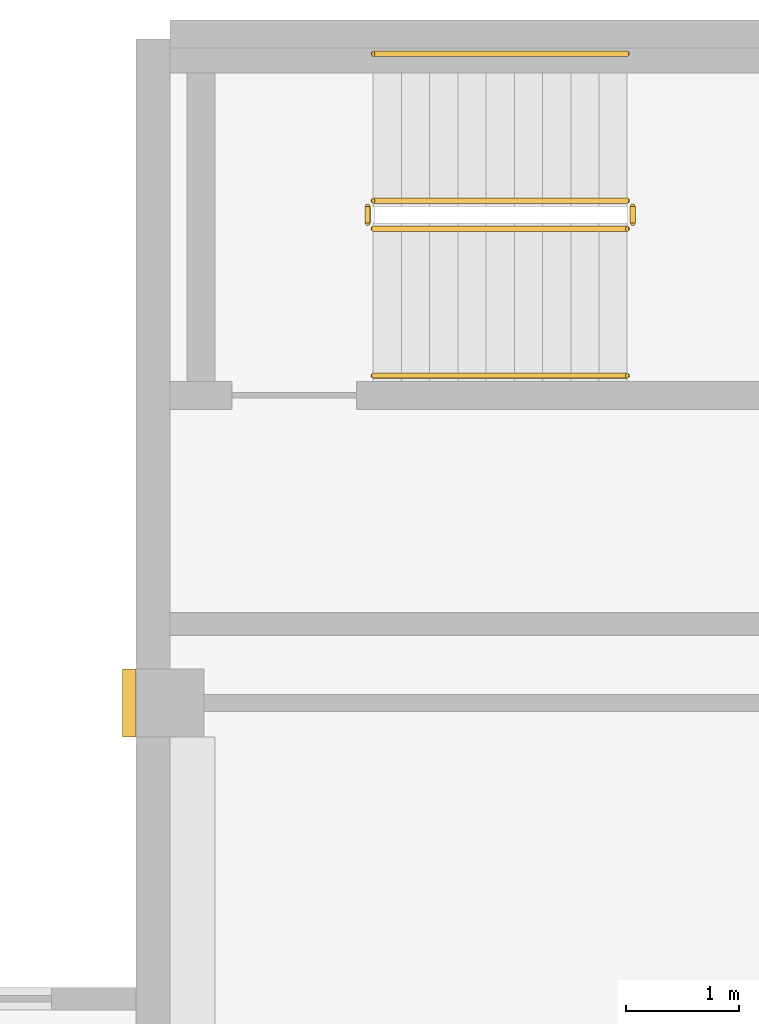
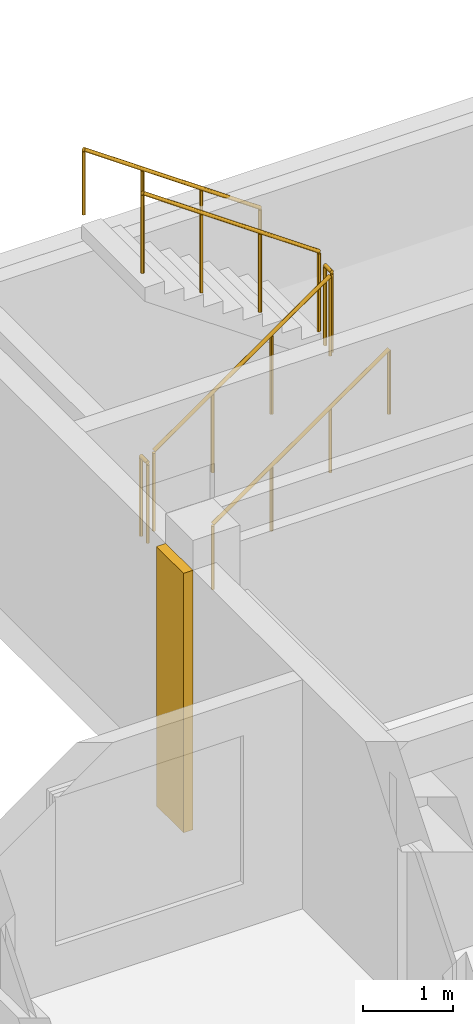
# One storey, part 8 of 8: 6 railings, 1 covering.
"""IFC4 building model written with IfcOpenShell, lengths in metres."""

from ifc_helpers import new_model, si_unit, direction, frame, origin, origin_2d, place, context, subcontext, project, spatial, rectangle, circle, extrude, source, transform, mapped, material, type_object, element, save


model = new_model("IFC4")

# Units and contexts
model_context = context("Model", 3, precision=1e-05, world=origin(), true_north=direction((0.0, 1.0)))
body_context = subcontext(model_context, "Body", "Model", "MODEL_VIEW")
ifc_project = project(units=[si_unit("LENGTHUNIT", "METRE"), si_unit("AREAUNIT", "SQUARE_METRE"), si_unit("VOLUMEUNIT", "CUBIC_METRE"), si_unit("PLANEANGLEUNIT", "RADIAN"), si_unit("MASSUNIT", "GRAM", prefix="KILO")], contexts=[model_context])

# Site, building, storey
site_placement = place(None, origin())
site = spatial("IfcSite", under=ifc_project, at=site_placement, CompositionType="ELEMENT")
building_placement = place(site_placement, origin())
building = spatial("IfcBuilding", under=site, at=building_placement, Name="Aurelian Terraces", CompositionType="ELEMENT")
storey_placement = place(building_placement, frame((0.0, 0.0, 347.5)))
storey = spatial("IfcBuildingStorey", under=building, at=storey_placement, Name="L82", CompositionType="ELEMENT", Elevation=347.5)

# Covering
ifc_material_1 = material(Name="Terracotta rainscreen cladding relief", Category="masonry")
covering_type = type_object("IfcCoveringType", Name="BAGUETTE-TC", PredefinedType="CLADDING", material=ifc_material_1)
shared_shape_1 = source(origin(), body_context, "Body", "SweptSolid", [
    extrude(rectangle(XDim=0.12, YDim=0.6, at=origin_2d()), origin(), (0.0, 0.0, 1.0), 3.5),
])
covering_placement = place(storey_placement, frame((10.44, 37.8, -0.4), z_axis=(0.0, 0.0, 1.0), x_axis=(1.0, 0.0, 0.0)))
element("IfcCovering", 1, at=covering_placement, inside=storey, type_object=covering_type, Name="BAGUETTE pier L82 5", PredefinedType="CLADDING", context=body_context, shape_type="MappedRepresentation", body=[
    mapped(shared_shape_1, transform((0.0, 0.0, 0.0), scale=1.0)),
])

# Railings
ifc_material_2 = material(Name="Stainless steel", Category="steel")
railing_type_1 = type_object("IfcRailingType", Name="Stair guard 1100", PredefinedType="GUARDRAIL", material=ifc_material_2)
shared_shape_2 = source(origin(), body_context, "Body", "SweptSolid", [
    extrude(circle(Radius=0.024, at=origin_2d()), frame((0.0, 0.0, 1.076), z_axis=(0.0, 1.0, 0.0), x_axis=(-1.0, 0.0, 0.0)), (0.0, 0.0, 1.0), 0.15),
    extrude(circle(Radius=0.021, at=origin_2d()), origin(), (0.0, 0.0, 1.0), 1.052),
    extrude(circle(Radius=0.021, at=origin_2d()), frame((0.0, 0.15, 0.0)), (0.0, 0.0, 1.0), 1.052),
])
for number, where, name in (
    (2, (14.9, 42.05, 1.75), "L82 S3U stair guard 2"),
    (3, (12.55, 42.05, 0.0), "L82 S3U stair guard 4"),
):
    element("IfcRailing", number, at=place(storey_placement, frame(where)), inside=storey, type_object=railing_type_1, Name=name, PredefinedType="GUARDRAIL", context=body_context, shape_type="MappedRepresentation", body=[
        mapped(shared_shape_2, transform((0.0, 0.0, 0.0), scale=1.0)),
    ])
shared_shape_3 = source(origin(), body_context, "Body", "SweptSolid", [
    extrude(circle(Radius=0.024, at=origin_2d()), frame((0.0, 0.0, 1.076), z_axis=(0.819231920519, 0.0, 0.573462344363), x_axis=(0.0, 1.0, 0.0)), (0.0, 0.0, 1.0), 2.7465),
    extrude(circle(Radius=0.021, at=origin_2d()), origin(), (0.0, 0.0, 1.0), 1.052),
    extrude(circle(Radius=0.021, at=origin_2d()), frame((0.75, 0.0, 0.525)), (0.0, 0.0, 1.0), 1.052),
    extrude(circle(Radius=0.021, at=origin_2d()), frame((1.5, 0.0, 1.05)), (0.0, 0.0, 1.0), 1.052),
    extrude(circle(Radius=0.021, at=origin_2d()), frame((2.25, 0.0, 1.575)), (0.0, 0.0, 1.0), 1.052),
])
railing_1_placement = place(storey_placement, frame((12.6, 42.0, 0.175)))
element("IfcRailing", 4, at=railing_1_placement, inside=storey, type_object=railing_type_1, Name="L82 S3U stair guard 1", PredefinedType="GUARDRAIL", context=body_context, shape_type="MappedRepresentation", body=[
    mapped(shared_shape_3, transform((0.0, 0.0, 0.0), scale=1.0)),
])
shared_shape_4 = source(origin(), body_context, "Body", "SweptSolid", [
    extrude(circle(Radius=0.024, at=origin_2d()), frame((0.0, 0.0, 1.076), z_axis=(-0.819231920519, 0.0, 0.573462344363), x_axis=(0.0, -1.0, 0.0)), (0.0, 0.0, 1.0), 2.7465),
    extrude(circle(Radius=0.021, at=origin_2d()), origin(), (0.0, 0.0, 1.0), 1.052),
    extrude(circle(Radius=0.021, at=origin_2d()), frame((-0.75, 0.0, 0.525)), (0.0, 0.0, 1.0), 1.052),
    extrude(circle(Radius=0.021, at=origin_2d()), frame((-1.5, 0.0, 1.05)), (0.0, 0.0, 1.0), 1.052),
    extrude(circle(Radius=0.021, at=origin_2d()), frame((-2.25, 0.0, 1.575)), (0.0, 0.0, 1.0), 1.052),
])
railing_2_placement = place(storey_placement, frame((14.85, 42.25, 1.925)))
element("IfcRailing", 5, at=railing_2_placement, inside=storey, type_object=railing_type_1, Name="L82 S3U stair guard 3", PredefinedType="GUARDRAIL", context=body_context, shape_type="MappedRepresentation", body=[
    mapped(shared_shape_4, transform((0.0, 0.0, 0.0), scale=1.0)),
])
railing_type_2 = type_object("IfcRailingType", Name="Stair handrail", PredefinedType="HANDRAIL", material=ifc_material_2)
shared_shape_5 = source(origin(), body_context, "Body", "SweptSolid", [
    extrude(circle(Radius=0.024, at=origin_2d()), frame((0.0, 0.0, 0.876), z_axis=(0.819231920519, 0.0, 0.573462344363), x_axis=(0.0, 1.0, 0.0)), (0.0, 0.0, 1.0), 2.7465),
    extrude(circle(Radius=0.021, at=origin_2d()), origin(), (0.0, 0.0, 1.0), 0.852),
    extrude(circle(Radius=0.021, at=origin_2d()), frame((0.75, 0.0, 0.525)), (0.0, 0.0, 1.0), 0.852),
    extrude(circle(Radius=0.021, at=origin_2d()), frame((1.5, 0.0, 1.05)), (0.0, 0.0, 1.0), 0.852),
    extrude(circle(Radius=0.021, at=origin_2d()), frame((2.25, 0.0, 1.575)), (0.0, 0.0, 1.0), 0.852),
])
railing_3_placement = place(storey_placement, frame((12.6, 40.7, 0.175)))
element("IfcRailing", 6, at=railing_3_placement, inside=storey, type_object=railing_type_2, Name="L82 S3U stair handrail 1", PredefinedType="HANDRAIL", context=body_context, shape_type="MappedRepresentation", body=[
    mapped(shared_shape_5, transform((0.0, 0.0, 0.0), scale=1.0)),
])
shared_shape_6 = source(origin(), body_context, "Body", "SweptSolid", [
    extrude(circle(Radius=0.024, at=origin_2d()), frame((0.0, 0.0, 0.876), z_axis=(-0.819231920519, 0.0, 0.573462344363), x_axis=(0.0, -1.0, 0.0)), (0.0, 0.0, 1.0), 2.7465),
    extrude(circle(Radius=0.021, at=origin_2d()), origin(), (0.0, 0.0, 1.0), 0.852),
    extrude(circle(Radius=0.021, at=origin_2d()), frame((-0.75, 0.0, 0.525)), (0.0, 0.0, 1.0), 0.852),
    extrude(circle(Radius=0.021, at=origin_2d()), frame((-1.5, 0.0, 1.05)), (0.0, 0.0, 1.0), 0.852),
    extrude(circle(Radius=0.021, at=origin_2d()), frame((-2.25, 0.0, 1.575)), (0.0, 0.0, 1.0), 0.852),
])
railing_4_placement = place(storey_placement, frame((14.85, 43.55, 1.925)))
element("IfcRailing", 7, at=railing_4_placement, inside=storey, type_object=railing_type_2, Name="L82 S3U stair handrail 2", PredefinedType="HANDRAIL", context=body_context, shape_type="MappedRepresentation", body=[
    mapped(shared_shape_6, transform((0.0, 0.0, 0.0), scale=1.0)),
])

save(model, "model.ifc")
